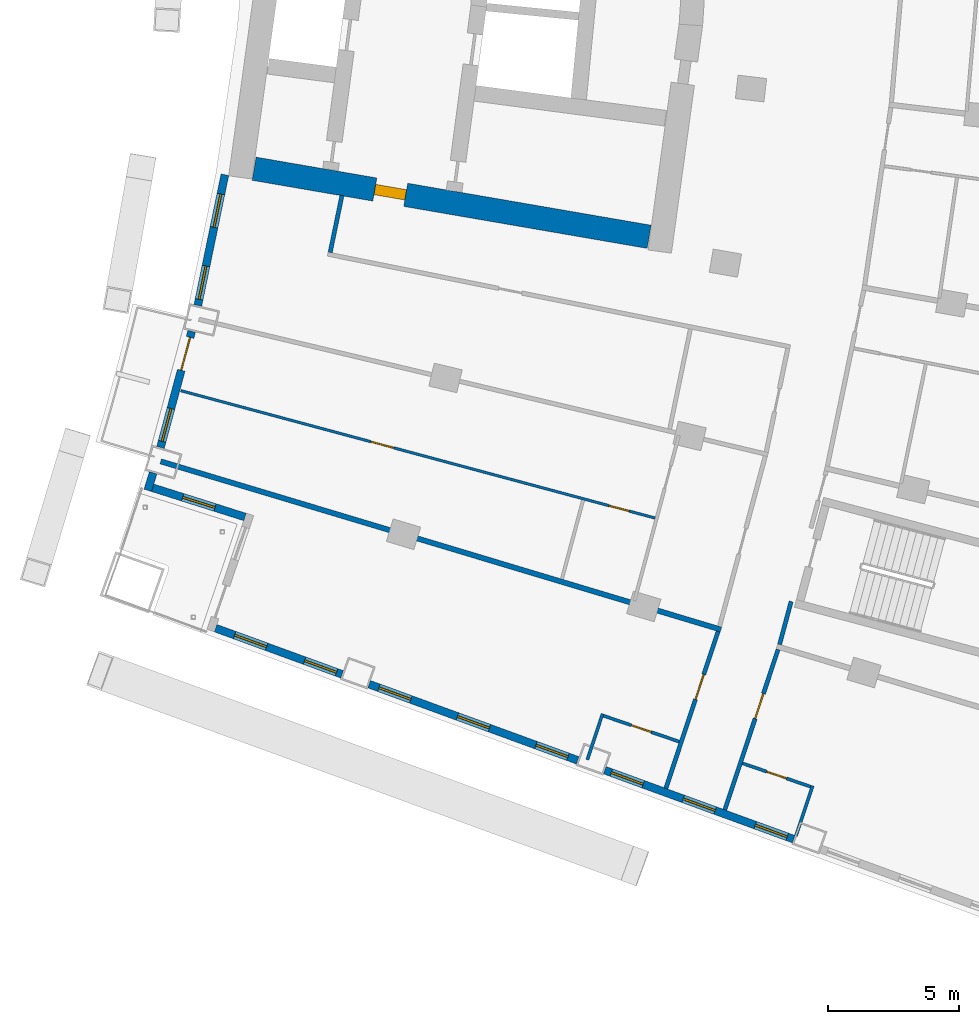
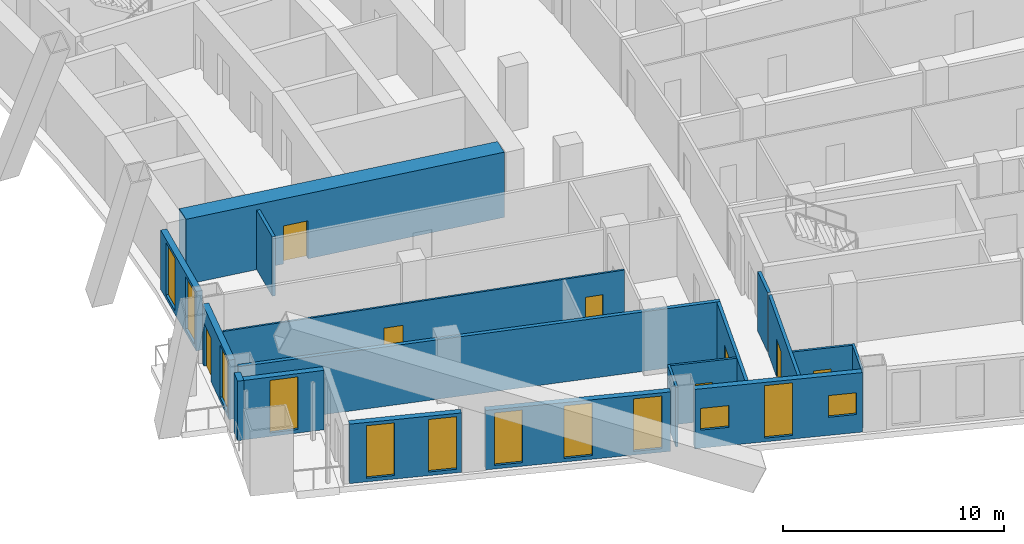
# One storey, part 13 of 25: 18 walls, 12 windows, 8 doors, 20 openings.
"""IFC4 building model written with IfcOpenShell, lengths in metres."""

from ifc_helpers import new_model, si_unit, direction, frame, frame_2d, origin, place, context, subcontext, project, spatial, rectangle, extrude, material, layer, layer_set, type_object, element, fill, save


model = new_model("IFC4")

# Units and contexts
model_context = context("Model", 3, precision=1e-05, world=origin(), true_north=direction((0.0, 1.0)))
body_context = subcontext(model_context, "Body", "Model", "MODEL_VIEW")
ifc_project = project(units=[si_unit("LENGTHUNIT", "METRE"), si_unit("AREAUNIT", "SQUARE_METRE"), si_unit("VOLUMEUNIT", "CUBIC_METRE"), si_unit("PLANEANGLEUNIT", "RADIAN"), si_unit("MASSUNIT", "GRAM", prefix="KILO")], contexts=[model_context])

# Site, building, storey
site_placement = place(None, origin())
site = spatial("IfcSite", under=ifc_project, at=site_placement, CompositionType="ELEMENT")
building_placement = place(site_placement, origin())
building = spatial("IfcBuilding", under=site, at=building_placement, Name="Alderwake Tower", CompositionType="ELEMENT")
storey_placement = place(building_placement, frame((0.0, 0.0, 64.39990234375)))
storey = spatial("IfcBuildingStorey", under=building, at=storey_placement, Name="L15", CompositionType="ELEMENT", Elevation=64.39990234375)

# Wall, opening, door
ifc_material_1 = material(Name="Concrete C70/85", Category="concrete")
ifc_layer_1 = layer(ifc_material_1, 0.89990234375)
ifc_layer_set_1 = layer_set([ifc_layer_1], Name="Core wall outer 900 C70-85")
wall_type_1 = type_object("IfcWallType", Name="Core wall outer 900 C70-85", PredefinedType="SHEAR", material=ifc_layer_set_1)
wall_1_placement = place(storey_placement, frame((31.11328125, 41.846923828125, 0.0), z_axis=(0.0, 0.0, 1.0), x_axis=(-0.985466640605, 0.169869067972, 0.0)))
wall_1 = element("IfcWall", 1, at=wall_1_placement, inside=storey, type_object=wall_type_1, Name="Core wall CW.070", PredefinedType="SHEAR", context=body_context, shape_type="SweptSolid", body=[
    extrude(rectangle(XDim=15.336669921875, YDim=0.89990234375, at=frame_2d((7.66845703125, 0.0))), origin(), (0.0, 0.0, 1.0), 3.60009765625),
])
opening_1_placement = place(wall_1_placement, frame((9.451904296875, 0.0, 0.0)))
opening_1 = element("IfcOpeningElement", 2, at=opening_1_placement, cuts=wall_1, Name="Opening C003", PredefinedType="OPENING", context=body_context, shape_type="SweptSolid", body=[
    extrude(rectangle(XDim=1.199951171875, YDim=2.10009765625, at=frame_2d((0.60009765625, 1.050048828125))), frame((0.0, 0.4599609375, 0.0), z_axis=(0.0, -1.0, 0.0), x_axis=(1.0, 0.0, 0.0)), (0.0, 0.0, 1.0), 0.919921875),
])
ifc_material_2 = material(Name="Steel-framed fire door leaf", Category="steel")
door_type_1 = type_object("IfcDoorType", Name="Core lobby exit door 1200 fire-rated", OperationType="SINGLE_SWING_LEFT", PredefinedType="DOOR", material=ifc_material_2)
door_1_placement = place(opening_1_placement, origin())
door_1 = element("IfcDoor", 3, at=door_1_placement, inside=storey, type_object=door_type_1, Name="Lobby door", OperationType="SINGLE_SWING_LEFT", OverallHeight=2.10009765625, OverallWidth=1.199951171875, PredefinedType="DOOR", context=body_context, shape_type="SweptSolid", body=[
    extrude(rectangle(XDim=1.199951171875, YDim=2.10009765625, at=frame_2d((0.60009765625, 1.050048828125))), frame((0.0, 0.199951171875, 0.0), z_axis=(0.0, -1.0, 0.0), x_axis=(1.0, 0.0, 0.0)), (0.0, 0.0, 1.0), 0.39990234375),
])
fill(opening_1, door_1)

# Wall
ifc_material_3 = material(Name="Gypsum board on metal studs, rated")
ifc_layer_2 = layer(ifc_material_3, 0.159912109375)
ifc_layer_set_2 = layer_set([ifc_layer_2], Name="Corridor wall 160")
wall_type_2 = type_object("IfcWallType", Name="Corridor wall 160", PredefinedType="PARTITIONING", material=ifc_layer_set_2)
wall_2_placement = place(storey_placement, frame((19.35888671875, 43.430908203125, 0.0), z_axis=(0.0, 0.0, 1.0), x_axis=(-0.202554916658, -0.979270905183, 0.0)))
element("IfcWall", 4, at=wall_2_placement, inside=storey, type_object=wall_type_2, Name="WL/L15/W20", PredefinedType="PARTITIONING", context=body_context, shape_type="SweptSolid", body=[
    extrude(rectangle(XDim=2.229736328125, YDim=0.159912109375, at=frame_2d((1.11474609375, 0.0))), origin(), (0.0, 0.0, 1.0), 3.280029296875),
])

# Wall, opening, door
wall_3_placement = place(storey_placement, frame((31.7548828125, 20.739013671875, 0.0), z_axis=(0.0, 0.0, 1.0), x_axis=(0.31554473692, 0.948910701279, 0.0)))
wall_3 = element("IfcWall", 5, at=wall_3_placement, inside=storey, type_object=wall_type_2, Name="WL/L15/W22", PredefinedType="PARTITIONING", context=body_context, shape_type="SweptSolid", body=[
    extrude(rectangle(XDim=6.327392578125, YDim=0.159912109375, at=frame_2d((3.16357421875, 0.0))), origin(), (0.0, 0.0, 1.0), 3.280029296875),
])
opening_2_placement = place(wall_3_placement, frame((3.59130859375, 0.0, 0.0)))
opening_2 = element("IfcOpeningElement", 6, at=opening_2_placement, cuts=wall_3, Name="Opening R04-U12.1", PredefinedType="OPENING", context=body_context, shape_type="SweptSolid", body=[
    extrude(rectangle(XDim=1.0, YDim=2.10009765625, at=frame_2d((0.5, 1.050048828125))), frame((0.0, 0.08984375, 0.0), z_axis=(0.0, -1.0, 0.0), x_axis=(1.0, 0.0, 0.0)), (0.0, 0.0, 1.0), 0.179931640625),
])
ifc_material_4 = material(Name="Solid timber leaf in steel frame", Category="steel")
door_type_2 = type_object("IfcDoorType", Name="Flat entrance door 1000 fire-rated", OperationType="SINGLE_SWING_LEFT", PredefinedType="DOOR", material=ifc_material_4)
door_2_placement = place(opening_2_placement, origin())
door_2 = element("IfcDoor", 7, at=door_2_placement, inside=storey, type_object=door_type_2, Name="DR/L15/U12.1", OperationType="SINGLE_SWING_LEFT", OverallHeight=2.10009765625, OverallWidth=1.0, PredefinedType="DOOR", context=body_context, shape_type="SweptSolid", body=[
    extrude(rectangle(XDim=1.0, YDim=2.10009765625, at=frame_2d((0.5, 1.050048828125))), frame((0.0, 0.02490234375, 0.0), z_axis=(0.0, -1.0, 0.0), x_axis=(1.0, 0.0, 0.0)), (0.0, 0.0, 1.0), 0.050048828125),
])
fill(opening_2, door_2)

wall_4_placement = place(storey_placement, frame((36.049560546875, 26.052978515625, 0.0), z_axis=(0.0, 0.0, 1.0), x_axis=(-0.315151894598, -0.949041244273, 0.0)))
wall_4 = element("IfcWall", 8, at=wall_4_placement, inside=storey, type_object=wall_type_2, Name="WL/L15/W24", PredefinedType="PARTITIONING", context=body_context, shape_type="SweptSolid", body=[
    extrude(rectangle(XDim=6.468505859375, YDim=0.159912109375, at=frame_2d((3.234375, 0.0))), origin(), (0.0, 0.0, 1.0), 3.280029296875),
])
opening_3_placement = place(wall_4_placement, frame((1.7822265625, 0.0, 0.0)))
opening_3 = element("IfcOpeningElement", 9, at=opening_3_placement, cuts=wall_4, Name="Opening R04-U03.1", PredefinedType="OPENING", context=body_context, shape_type="SweptSolid", body=[
    extrude(rectangle(XDim=1.0, YDim=2.10009765625, at=frame_2d((0.5, 1.050048828125))), frame((0.0, 0.08984375, 0.0), z_axis=(0.0, -1.0, 0.0), x_axis=(1.0, 0.0, 0.0)), (0.0, 0.0, 1.0), 0.179931640625),
])
door_3_placement = place(opening_3_placement, origin())
door_3 = element("IfcDoor", 10, at=door_3_placement, inside=storey, type_object=door_type_2, Name="DR/L15/U03.1", OperationType="SINGLE_SWING_LEFT", OverallHeight=2.10009765625, OverallWidth=1.0, PredefinedType="DOOR", context=body_context, shape_type="SweptSolid", body=[
    extrude(rectangle(XDim=1.0, YDim=2.10009765625, at=frame_2d((0.5, 1.050048828125))), frame((0.0, 0.02490234375, 0.0), z_axis=(0.0, -1.0, 0.0), x_axis=(1.0, 0.0, 0.0)), (0.0, 0.0, 1.0), 0.050048828125),
])
fill(opening_3, door_3)

# Walls
wall_5_placement = place(storey_placement, frame((36.10693359375, 26.24462890625, 0.0), z_axis=(0.0, 0.0, 1.0), x_axis=(0.259346865847, 0.965784242559, 0.0)))
element("IfcWall", 11, at=wall_5_placement, inside=storey, type_object=wall_type_2, Name="WL/L15/W28", PredefinedType="PARTITIONING", context=body_context, shape_type="SweptSolid", body=[
    extrude(rectangle(XDim=1.704833984375, YDim=0.159912109375, at=frame_2d((0.8525390625, 0.0))), origin(), (0.0, 0.0, 1.0), 3.280029296875),
])
ifc_material_5 = material(Name="Precast concrete C50/60 spandrel panel", Category="concrete")
ifc_layer_3 = layer(ifc_material_5, 0.300048828125)
ifc_layer_set_3 = layer_set([ifc_layer_3], Name="External wall EW1 Precast concrete C50/60 spandrel")
wall_type_3 = type_object("IfcWallType", Name="External wall EW1 Precast concrete C50/60 spandrel", PredefinedType="SOLIDWALL", material=ifc_layer_set_3)
wall_6_placement = place(storey_placement, frame((12.1328125, 32.814453125, 0.0), z_axis=(0.0, 0.0, 1.0), x_axis=(-0.294671831364, -0.955598509731, 0.0)))
element("IfcWall", 12, at=wall_6_placement, inside=storey, type_object=wall_type_3, Name="External wall 1", PredefinedType="SOLIDWALL", context=body_context, shape_type="SweptSolid", body=[
    extrude(rectangle(XDim=0.70263671875, YDim=0.300048828125, at=frame_2d((0.351318359375, 0.0))), origin(), (0.0, 0.0, 1.0), 3.280029296875),
])

# Wall, openings, windows
wall_7_placement = place(storey_placement, frame((14.878173828125, 44.223388671875, 0.0), z_axis=(0.0, 0.0, 1.0), x_axis=(-0.202738354746, -0.979232944459, 0.0)))
wall_7 = element("IfcWall", 13, at=wall_7_placement, inside=storey, type_object=wall_type_3, Name="External wall 35", PredefinedType="SOLIDWALL", context=body_context, shape_type="SweptSolid", body=[
    extrude(rectangle(XDim=5.1083984375, YDim=0.300048828125, at=frame_2d((2.55419921875, 0.0))), origin(), (0.0, 0.0, 1.0), 3.280029296875),
])
opening_4_placement = place(wall_7_placement, frame((0.75634765625, 0.0, 0.199951171875)))
opening_4 = element("IfcOpeningElement", 14, at=opening_4_placement, cuts=wall_7, Name="Opening W1", PredefinedType="OPENING", context=body_context, shape_type="SweptSolid", body=[
    extrude(rectangle(XDim=1.300048828125, YDim=2.89990234375, at=frame_2d((0.64990234375, 1.449951171875))), frame((0.0, 0.159912109375, 0.0), z_axis=(0.0, -1.0, 0.0), x_axis=(1.0, 0.0, 0.0)), (0.0, 0.0, 1.0), 0.320068359375),
])
opening_5_placement = place(wall_7_placement, frame((3.569091796875, 0.0, 0.199951171875)))
opening_5 = element("IfcOpeningElement", 15, at=opening_5_placement, cuts=wall_7, Name="Opening W1", PredefinedType="OPENING", context=body_context, shape_type="SweptSolid", body=[
    extrude(rectangle(XDim=1.300048828125, YDim=2.89990234375, at=frame_2d((0.64990234375, 1.449951171875))), frame((0.0, 0.159912109375, 0.0), z_axis=(0.0, -1.0, 0.0), x_axis=(1.0, 0.0, 0.0)), (0.0, 0.0, 1.0), 0.320068359375),
])
ifc_material_6 = material(Name="Bronze tinted glass in aluminium frame", Category="aluminium")
window_type_1 = type_object("IfcWindowType", Name="Window W1 tall fixed and vent", PartitioningType="DOUBLE_PANEL_VERTICAL", PredefinedType="WINDOW", material=ifc_material_6)
window_1_placement = place(opening_4_placement, origin())
window_1 = element("IfcWindow", 16, at=window_1_placement, inside=storey, type_object=window_type_1, Name="Window W1 tall fixed and vent", OverallHeight=2.89990234375, OverallWidth=1.300048828125, PartitioningType="DOUBLE_PANEL_VERTICAL", PredefinedType="WINDOW", context=body_context, shape_type="SweptSolid", body=[
    extrude(rectangle(XDim=1.300048828125, YDim=2.89990234375, at=frame_2d((0.64990234375, 1.449951171875))), frame((0.0, 0.030029296875, 0.0), z_axis=(0.0, -1.0, 0.0), x_axis=(1.0, 0.0, 0.0)), (0.0, 0.0, 1.0), 0.06005859375),
])
fill(opening_4, window_1)
window_2_placement = place(opening_5_placement, origin())
window_2 = element("IfcWindow", 17, at=window_2_placement, inside=storey, type_object=window_type_1, Name="Window W1 tall fixed and vent", OverallHeight=2.89990234375, OverallWidth=1.300048828125, PartitioningType="DOUBLE_PANEL_VERTICAL", PredefinedType="WINDOW", context=body_context, shape_type="SweptSolid", body=[
    extrude(rectangle(XDim=1.300048828125, YDim=2.89990234375, at=frame_2d((0.64990234375, 1.449951171875))), frame((0.0, 0.030029296875, 0.0), z_axis=(0.0, -1.0, 0.0), x_axis=(1.0, 0.0, 0.0)), (0.0, 0.0, 1.0), 0.06005859375),
])
fill(opening_5, window_2)

# Wall, openings, door, window
wall_8_placement = place(storey_placement, frame((13.606689453125, 38.229248046875, 0.0), z_axis=(0.0, 0.0, 1.0), x_axis=(-0.259495671332, -0.965744270788, 0.0)))
wall_8 = element("IfcWall", 18, at=wall_8_placement, inside=storey, type_object=wall_type_3, Name="External wall 36", PredefinedType="SOLIDWALL", context=body_context, shape_type="SweptSolid", body=[
    extrude(rectangle(XDim=4.599609375, YDim=0.300048828125, at=frame_2d((2.2998046875, 0.0))), origin(), (0.0, 0.0, 1.0), 3.280029296875),
])
opening_6_placement = place(wall_8_placement, frame((0.2412109375, 0.0, 0.0)))
opening_6 = element("IfcOpeningElement", 19, at=opening_6_placement, cuts=wall_8, Name="Opening D16", PredefinedType="OPENING", context=body_context, shape_type="SweptSolid", body=[
    extrude(rectangle(XDim=1.300048828125, YDim=2.39990234375, at=frame_2d((0.64990234375, 1.199951171875))), frame((0.0, 0.159912109375, 0.0), z_axis=(0.0, -1.0, 0.0), x_axis=(1.0, 0.0, 0.0)), (0.0, 0.0, 1.0), 0.320068359375),
])
opening_7_placement = place(wall_8_placement, frame((3.058349609375, 0.0, 0.199951171875)))
opening_7 = element("IfcOpeningElement", 20, at=opening_7_placement, cuts=wall_8, Name="Opening W1", PredefinedType="OPENING", context=body_context, shape_type="SweptSolid", body=[
    extrude(rectangle(XDim=1.300048828125, YDim=2.89990234375, at=frame_2d((0.64990234375, 1.449951171875))), frame((0.0, 0.159912109375, 0.0), z_axis=(0.0, -1.0, 0.0), x_axis=(1.0, 0.0, 0.0)), (0.0, 0.0, 1.0), 0.320068359375),
])
ifc_material_7 = material(Name="Bronze tinted glass in aluminium frame", Category="aluminium")
door_type_3 = type_object("IfcDoorType", Name="Balcony door BD sliding", OperationType="SLIDING_TO_LEFT", PredefinedType="DOOR", material=ifc_material_7)
door_4_placement = place(opening_6_placement, origin())
door_4 = element("IfcDoor", 21, at=door_4_placement, inside=storey, type_object=door_type_3, Name="Door D16", OperationType="SLIDING_TO_LEFT", OverallHeight=2.39990234375, OverallWidth=1.300048828125, PredefinedType="DOOR", context=body_context, shape_type="SweptSolid", body=[
    extrude(rectangle(XDim=1.300048828125, YDim=2.39990234375, at=frame_2d((0.64990234375, 1.199951171875))), frame((0.0, 0.02490234375, 0.0), z_axis=(0.0, -1.0, 0.0), x_axis=(1.0, 0.0, 0.0)), (0.0, 0.0, 1.0), 0.050048828125),
])
fill(opening_6, door_4)
window_3_placement = place(opening_7_placement, origin())
window_3 = element("IfcWindow", 22, at=window_3_placement, inside=storey, type_object=window_type_1, Name="Window W1 tall fixed and vent", OverallHeight=2.89990234375, OverallWidth=1.300048828125, PartitioningType="DOUBLE_PANEL_VERTICAL", PredefinedType="WINDOW", context=body_context, shape_type="SweptSolid", body=[
    extrude(rectangle(XDim=1.300048828125, YDim=2.89990234375, at=frame_2d((0.64990234375, 1.449951171875))), frame((0.0, 0.030029296875, 0.0), z_axis=(0.0, -1.0, 0.0), x_axis=(1.0, 0.0, 0.0)), (0.0, 0.0, 1.0), 0.06005859375),
])
fill(opening_7, window_3)

# Wall, opening, window
ifc_material_8 = material(Name="Bronze metal cladding on lightweight framing")
ifc_layer_4 = layer(ifc_material_8, 0.300048828125)
ifc_layer_set_4 = layer_set([ifc_layer_4], Name="External wall EW2 bronze metal cladding")
wall_type_4 = type_object("IfcWallType", Name="External wall EW2 bronze metal cladding", PredefinedType="SOLIDWALL", material=ifc_layer_set_4)
wall_9_placement = place(storey_placement, frame((12.113037109375, 32.2412109375, 0.0), z_axis=(0.0, 0.0, 1.0), x_axis=(0.953458128271, -0.301525451054, 0.0)))
wall_9 = element("IfcWall", 23, at=wall_9_placement, inside=storey, type_object=wall_type_4, Name="External wall 2", PredefinedType="SOLIDWALL", context=body_context, shape_type="SweptSolid", body=[
    extrude(rectangle(XDim=3.705810546875, YDim=0.300048828125, at=frame_2d((1.85302734375, 0.0))), origin(), (0.0, 0.0, 1.0), 3.280029296875),
])
opening_8_placement = place(wall_9_placement, frame((1.202880859375, 0.0, 0.199951171875)))
opening_8 = element("IfcOpeningElement", 24, at=opening_8_placement, cuts=wall_9, Name="Opening W1", PredefinedType="OPENING", context=body_context, shape_type="SweptSolid", body=[
    extrude(rectangle(XDim=1.300048828125, YDim=2.89990234375, at=frame_2d((0.64990234375, 1.449951171875))), frame((0.0, 0.159912109375, 0.0), z_axis=(0.0, -1.0, 0.0), x_axis=(1.0, 0.0, 0.0)), (0.0, 0.0, 1.0), 0.320068359375),
])
window_4_placement = place(opening_8_placement, origin())
window_4 = element("IfcWindow", 25, at=window_4_placement, inside=storey, type_object=window_type_1, Name="Window W1 tall fixed and vent", OverallHeight=2.89990234375, OverallWidth=1.300048828125, PartitioningType="DOUBLE_PANEL_VERTICAL", PredefinedType="WINDOW", context=body_context, shape_type="SweptSolid", body=[
    extrude(rectangle(XDim=1.300048828125, YDim=2.89990234375, at=frame_2d((0.64990234375, 1.449951171875))), frame((0.0, 0.030029296875, 0.0), z_axis=(0.0, -1.0, 0.0), x_axis=(1.0, 0.0, 0.0)), (0.0, 0.0, 1.0), 0.06005859375),
])
fill(opening_8, window_4)

# Wall, openings, windows
wall_10_placement = place(storey_placement, frame((14.523681640625, 26.86865234375, 0.0), z_axis=(0.0, 0.0, 1.0), x_axis=(0.939371865822, -0.342900127883, 0.0)))
wall_10 = element("IfcWall", 26, at=wall_10_placement, inside=storey, type_object=wall_type_4, Name="External wall 4", PredefinedType="SOLIDWALL", context=body_context, shape_type="SweptSolid", body=[
    extrude(rectangle(XDim=5.149169921875, YDim=0.300048828125, at=frame_2d((2.57470703125, 0.0))), origin(), (0.0, 0.0, 1.0), 3.280029296875),
])
opening_9_placement = place(wall_10_placement, frame((0.775390625, 0.0, 0.199951171875)))
opening_9 = element("IfcOpeningElement", 27, at=opening_9_placement, cuts=wall_10, Name="Opening W1", PredefinedType="OPENING", context=body_context, shape_type="SweptSolid", body=[
    extrude(rectangle(XDim=1.300048828125, YDim=2.89990234375, at=frame_2d((0.64990234375, 1.449951171875))), frame((0.0, 0.159912109375, 0.0), z_axis=(0.0, -1.0, 0.0), x_axis=(1.0, 0.0, 0.0)), (0.0, 0.0, 1.0), 0.320068359375),
])
opening_10_placement = place(wall_10_placement, frame((3.626220703125, 0.0, 0.199951171875)))
opening_10 = element("IfcOpeningElement", 28, at=opening_10_placement, cuts=wall_10, Name="Opening W1", PredefinedType="OPENING", context=body_context, shape_type="SweptSolid", body=[
    extrude(rectangle(XDim=1.300048828125, YDim=2.89990234375, at=frame_2d((0.64990234375, 1.449951171875))), frame((0.0, 0.159912109375, 0.0), z_axis=(0.0, -1.0, 0.0), x_axis=(1.0, 0.0, 0.0)), (0.0, 0.0, 1.0), 0.320068359375),
])
window_5_placement = place(opening_9_placement, origin())
window_5 = element("IfcWindow", 29, at=window_5_placement, inside=storey, type_object=window_type_1, Name="Window W1 tall fixed and vent", OverallHeight=2.89990234375, OverallWidth=1.300048828125, PartitioningType="DOUBLE_PANEL_VERTICAL", PredefinedType="WINDOW", context=body_context, shape_type="SweptSolid", body=[
    extrude(rectangle(XDim=1.300048828125, YDim=2.89990234375, at=frame_2d((0.64990234375, 1.449951171875))), frame((0.0, 0.030029296875, 0.0), z_axis=(0.0, -1.0, 0.0), x_axis=(1.0, 0.0, 0.0)), (0.0, 0.0, 1.0), 0.06005859375),
])
fill(opening_9, window_5)
window_6_placement = place(opening_10_placement, origin())
window_6 = element("IfcWindow", 30, at=window_6_placement, inside=storey, type_object=window_type_1, Name="Window W1 tall fixed and vent", OverallHeight=2.89990234375, OverallWidth=1.300048828125, PartitioningType="DOUBLE_PANEL_VERTICAL", PredefinedType="WINDOW", context=body_context, shape_type="SweptSolid", body=[
    extrude(rectangle(XDim=1.300048828125, YDim=2.89990234375, at=frame_2d((0.64990234375, 1.449951171875))), frame((0.0, 0.030029296875, 0.0), z_axis=(0.0, -1.0, 0.0), x_axis=(1.0, 0.0, 0.0)), (0.0, 0.0, 1.0), 0.06005859375),
])
fill(opening_10, window_6)

wall_11_placement = place(storey_placement, frame((20.398681640625, 24.72412109375, 0.0), z_axis=(0.0, 0.0, 1.0), x_axis=(0.939369809957, -0.342905759856, 0.0)))
wall_11 = element("IfcWall", 31, at=wall_11_placement, inside=storey, type_object=wall_type_4, Name="External wall 5", PredefinedType="SOLIDWALL", context=body_context, shape_type="SweptSolid", body=[
    extrude(rectangle(XDim=8.495361328125, YDim=0.300048828125, at=frame_2d((4.24755859375, 0.0))), origin(), (0.0, 0.0, 1.0), 3.280029296875),
])
opening_11_placement = place(wall_11_placement, frame((0.3974609375, 0.0, 0.199951171875)))
opening_11 = element("IfcOpeningElement", 32, at=opening_11_placement, cuts=wall_11, Name="Opening W1", PredefinedType="OPENING", context=body_context, shape_type="SweptSolid", body=[
    extrude(rectangle(XDim=1.300048828125, YDim=2.89990234375, at=frame_2d((0.64990234375, 1.449951171875))), frame((0.0, 0.159912109375, 0.0), z_axis=(0.0, -1.0, 0.0), x_axis=(1.0, 0.0, 0.0)), (0.0, 0.0, 1.0), 0.320068359375),
])
opening_12_placement = place(wall_11_placement, frame((3.597412109375, 0.0, 0.199951171875)))
opening_12 = element("IfcOpeningElement", 33, at=opening_12_placement, cuts=wall_11, Name="Opening W1", PredefinedType="OPENING", context=body_context, shape_type="SweptSolid", body=[
    extrude(rectangle(XDim=1.300048828125, YDim=2.89990234375, at=frame_2d((0.64990234375, 1.449951171875))), frame((0.0, 0.159912109375, 0.0), z_axis=(0.0, -1.0, 0.0), x_axis=(1.0, 0.0, 0.0)), (0.0, 0.0, 1.0), 0.320068359375),
])
opening_13_placement = place(wall_11_placement, frame((6.797607421875, 0.0, 0.199951171875)))
opening_13 = element("IfcOpeningElement", 34, at=opening_13_placement, cuts=wall_11, Name="Opening W1", PredefinedType="OPENING", context=body_context, shape_type="SweptSolid", body=[
    extrude(rectangle(XDim=1.300048828125, YDim=2.89990234375, at=frame_2d((0.64990234375, 1.449951171875))), frame((0.0, 0.159912109375, 0.0), z_axis=(0.0, -1.0, 0.0), x_axis=(1.0, 0.0, 0.0)), (0.0, 0.0, 1.0), 0.320068359375),
])
window_7_placement = place(opening_11_placement, origin())
window_7 = element("IfcWindow", 35, at=window_7_placement, inside=storey, type_object=window_type_1, Name="Window W1 tall fixed and vent", OverallHeight=2.89990234375, OverallWidth=1.300048828125, PartitioningType="DOUBLE_PANEL_VERTICAL", PredefinedType="WINDOW", context=body_context, shape_type="SweptSolid", body=[
    extrude(rectangle(XDim=1.300048828125, YDim=2.89990234375, at=frame_2d((0.64990234375, 1.449951171875))), frame((0.0, 0.030029296875, 0.0), z_axis=(0.0, -1.0, 0.0), x_axis=(1.0, 0.0, 0.0)), (0.0, 0.0, 1.0), 0.06005859375),
])
fill(opening_11, window_7)
window_8_placement = place(opening_12_placement, origin())
window_8 = element("IfcWindow", 36, at=window_8_placement, inside=storey, type_object=window_type_1, Name="Window W1 tall fixed and vent", OverallHeight=2.89990234375, OverallWidth=1.300048828125, PartitioningType="DOUBLE_PANEL_VERTICAL", PredefinedType="WINDOW", context=body_context, shape_type="SweptSolid", body=[
    extrude(rectangle(XDim=1.300048828125, YDim=2.89990234375, at=frame_2d((0.64990234375, 1.449951171875))), frame((0.0, 0.030029296875, 0.0), z_axis=(0.0, -1.0, 0.0), x_axis=(1.0, 0.0, 0.0)), (0.0, 0.0, 1.0), 0.06005859375),
])
fill(opening_12, window_8)
window_9_placement = place(opening_13_placement, origin())
window_9 = element("IfcWindow", 37, at=window_9_placement, inside=storey, type_object=window_type_1, Name="Window W1 tall fixed and vent", OverallHeight=2.89990234375, OverallWidth=1.300048828125, PartitioningType="DOUBLE_PANEL_VERTICAL", PredefinedType="WINDOW", context=body_context, shape_type="SweptSolid", body=[
    extrude(rectangle(XDim=1.300048828125, YDim=2.89990234375, at=frame_2d((0.64990234375, 1.449951171875))), frame((0.0, 0.030029296875, 0.0), z_axis=(0.0, -1.0, 0.0), x_axis=(1.0, 0.0, 0.0)), (0.0, 0.0, 1.0), 0.06005859375),
])
fill(opening_13, window_9)

wall_12_placement = place(storey_placement, frame((29.416748046875, 21.432373046875, 0.0), z_axis=(0.0, 0.0, 1.0), x_axis=(0.93936753929, -0.342911980148, 0.0)))
wall_12 = element("IfcWall", 38, at=wall_12_placement, inside=storey, type_object=wall_type_4, Name="External wall 6", PredefinedType="SOLIDWALL", context=body_context, shape_type="SweptSolid", body=[
    extrude(rectangle(XDim=7.695556640625, YDim=0.300048828125, at=frame_2d((3.84765625, 0.0))), origin(), (0.0, 0.0, 1.0), 3.280029296875),
])
opening_14_placement = place(wall_12_placement, frame((0.264404296875, 0.0, 1.0)))
opening_14 = element("IfcOpeningElement", 39, at=opening_14_placement, cuts=wall_12, Name="Opening W2", PredefinedType="OPENING", context=body_context, shape_type="SweptSolid", body=[
    extrude(rectangle(XDim=1.300048828125, YDim=1.199951171875, at=frame_2d((0.64990234375, 0.60009765625))), frame((0.0, 0.159912109375, 0.0), z_axis=(0.0, -1.0, 0.0), x_axis=(1.0, 0.0, 0.0)), (0.0, 0.0, 1.0), 0.320068359375),
])
opening_15_placement = place(wall_12_placement, frame((3.19775390625, 0.0, 0.199951171875)))
opening_15 = element("IfcOpeningElement", 40, at=opening_15_placement, cuts=wall_12, Name="Opening W1", PredefinedType="OPENING", context=body_context, shape_type="SweptSolid", body=[
    extrude(rectangle(XDim=1.300048828125, YDim=2.89990234375, at=frame_2d((0.64990234375, 1.449951171875))), frame((0.0, 0.159912109375, 0.0), z_axis=(0.0, -1.0, 0.0), x_axis=(1.0, 0.0, 0.0)), (0.0, 0.0, 1.0), 0.320068359375),
])
opening_16_placement = place(wall_12_placement, frame((6.131103515625, 0.0, 1.0)))
opening_16 = element("IfcOpeningElement", 41, at=opening_16_placement, cuts=wall_12, Name="Opening W2", PredefinedType="OPENING", context=body_context, shape_type="SweptSolid", body=[
    extrude(rectangle(XDim=1.300048828125, YDim=1.199951171875, at=frame_2d((0.64990234375, 0.60009765625))), frame((0.0, 0.159912109375, 0.0), z_axis=(0.0, -1.0, 0.0), x_axis=(1.0, 0.0, 0.0)), (0.0, 0.0, 1.0), 0.320068359375),
])
window_10_placement = place(opening_15_placement, origin())
window_10 = element("IfcWindow", 42, at=window_10_placement, inside=storey, type_object=window_type_1, Name="Window W1 tall fixed and vent", OverallHeight=2.89990234375, OverallWidth=1.300048828125, PartitioningType="DOUBLE_PANEL_VERTICAL", PredefinedType="WINDOW", context=body_context, shape_type="SweptSolid", body=[
    extrude(rectangle(XDim=1.300048828125, YDim=2.89990234375, at=frame_2d((0.64990234375, 1.449951171875))), frame((0.0, 0.030029296875, 0.0), z_axis=(0.0, -1.0, 0.0), x_axis=(1.0, 0.0, 0.0)), (0.0, 0.0, 1.0), 0.06005859375),
])
fill(opening_15, window_10)
ifc_material_9 = material(Name="Bronze tinted glass in aluminium frame", Category="aluminium")
window_type_2 = type_object("IfcWindowType", Name="Window W2 kitchen and bath", PartitioningType="SINGLE_PANEL", PredefinedType="WINDOW", material=ifc_material_9)
window_11_placement = place(opening_14_placement, origin())
window_11 = element("IfcWindow", 43, at=window_11_placement, inside=storey, type_object=window_type_2, Name="Window W2 kitchen and bath", OverallHeight=1.199951171875, OverallWidth=1.300048828125, PartitioningType="SINGLE_PANEL", PredefinedType="WINDOW", context=body_context, shape_type="SweptSolid", body=[
    extrude(rectangle(XDim=1.300048828125, YDim=1.199951171875, at=frame_2d((0.64990234375, 0.60009765625))), frame((0.0, 0.030029296875, 0.0), z_axis=(0.0, -1.0, 0.0), x_axis=(1.0, 0.0, 0.0)), (0.0, 0.0, 1.0), 0.06005859375),
])
fill(opening_14, window_11)
window_12_placement = place(opening_16_placement, origin())
window_12 = element("IfcWindow", 44, at=window_12_placement, inside=storey, type_object=window_type_2, Name="Window W2 kitchen and bath", OverallHeight=1.199951171875, OverallWidth=1.300048828125, PartitioningType="SINGLE_PANEL", PredefinedType="WINDOW", context=body_context, shape_type="SweptSolid", body=[
    extrude(rectangle(XDim=1.300048828125, YDim=1.199951171875, at=frame_2d((0.64990234375, 0.60009765625))), frame((0.0, 0.030029296875, 0.0), z_axis=(0.0, -1.0, 0.0), x_axis=(1.0, 0.0, 0.0)), (0.0, 0.0, 1.0), 0.06005859375),
])
fill(opening_16, window_12)

# Wall
ifc_material_10 = material(Name="Dense block masonry wall", Category="masonry")
ifc_layer_5 = layer(ifc_material_10, 0.199951171875)
ifc_layer_set_5 = layer_set([ifc_layer_5], Name="Party wall 200")
wall_type_5 = type_object("IfcWallType", Name="Party wall 200", PredefinedType="SOLIDWALL", material=ifc_layer_set_5)
wall_13_placement = place(storey_placement, frame((33.859619140625, 26.81494140625, 0.0), z_axis=(0.0, 0.0, 1.0), x_axis=(-0.95775179957, 0.287596054251, 0.0)))
element("IfcWall", 45, at=wall_13_placement, inside=storey, type_object=wall_type_5, Name="WL/L15/W03", PredefinedType="SOLIDWALL", context=body_context, shape_type="SweptSolid", body=[
    extrude(rectangle(XDim=22.382080078125, YDim=0.199951171875, at=frame_2d((11.19091796875, 0.0))), origin(), (0.0, 0.0, 1.0), 3.280029296875),
])

# Wall, openings, doors
ifc_material_11 = material(Name="Gypsum board on metal studs")
ifc_layer_6 = layer(ifc_material_11, 0.10009765625)
ifc_layer_set_6 = layer_set([ifc_layer_6], Name="Unit partition 100")
wall_type_6 = type_object("IfcWallType", Name="Unit partition 100", PredefinedType="PARTITIONING", material=ifc_layer_set_6)
wall_14_placement = place(storey_placement, frame((31.340087890625, 31.08349609375, 0.0), z_axis=(0.0, 0.0, 1.0), x_axis=(-0.965761886649, 0.259430102909, 0.0)))
wall_14 = element("IfcWall", 46, at=wall_14_placement, inside=storey, type_object=wall_type_6, Name="WL/L15/W67", PredefinedType="PARTITIONING", context=body_context, shape_type="SweptSolid", body=[
    extrude(rectangle(XDim=18.789306640625, YDim=0.10009765625, at=frame_2d((9.39453125, 0.0))), origin(), (0.0, 0.0, 1.0), 3.280029296875),
])
opening_17_placement = place(wall_14_placement, frame((1.0185546875, 0.0, 0.0)))
opening_17 = element("IfcOpeningElement", 47, at=opening_17_placement, cuts=wall_14, Name="Opening R04-U13.3", PredefinedType="OPENING", context=body_context, shape_type="SweptSolid", body=[
    extrude(rectangle(XDim=0.800048828125, YDim=2.10009765625, at=frame_2d((0.39990234375, 1.050048828125))), frame((0.0, 0.06005859375, 0.0), z_axis=(0.0, -1.0, 0.0), x_axis=(1.0, 0.0, 0.0)), (0.0, 0.0, 1.0), 0.1201171875),
])
opening_18_placement = place(wall_14_placement, frame((10.363037109375, 0.0, 0.0)))
opening_18 = element("IfcOpeningElement", 48, at=opening_18_placement, cuts=wall_14, Name="Opening R04-U13.4", PredefinedType="OPENING", context=body_context, shape_type="SweptSolid", body=[
    extrude(rectangle(XDim=0.89990234375, YDim=2.10009765625, at=frame_2d((0.449951171875, 1.050048828125))), frame((0.0, 0.06005859375, 0.0), z_axis=(0.0, -1.0, 0.0), x_axis=(1.0, 0.0, 0.0)), (0.0, 0.0, 1.0), 0.1201171875),
])
ifc_material_12 = material(Name="Painted timber leaf", Category="wood")
door_type_4 = type_object("IfcDoorType", Name="Bathroom door 800", OperationType="SINGLE_SWING_LEFT", PredefinedType="DOOR", material=ifc_material_12)
door_5_placement = place(opening_17_placement, origin())
door_5 = element("IfcDoor", 49, at=door_5_placement, inside=storey, type_object=door_type_4, Name="DR/L15/U13.3", OperationType="SINGLE_SWING_LEFT", OverallHeight=2.10009765625, OverallWidth=0.800048828125, PredefinedType="DOOR", context=body_context, shape_type="SweptSolid", body=[
    extrude(rectangle(XDim=0.800048828125, YDim=2.10009765625, at=frame_2d((0.39990234375, 1.050048828125))), frame((0.0, 0.02490234375, 0.0), z_axis=(0.0, -1.0, 0.0), x_axis=(1.0, 0.0, 0.0)), (0.0, 0.0, 1.0), 0.050048828125),
])
fill(opening_17, door_5)
ifc_material_13 = material(Name="Painted timber leaf", Category="wood")
door_type_5 = type_object("IfcDoorType", Name="Room door 900", OperationType="SINGLE_SWING_LEFT", PredefinedType="DOOR", material=ifc_material_13)
door_6_placement = place(opening_18_placement, origin())
door_6 = element("IfcDoor", 50, at=door_6_placement, inside=storey, type_object=door_type_5, Name="DR/L15/U13.4", OperationType="SINGLE_SWING_LEFT", OverallHeight=2.10009765625, OverallWidth=0.89990234375, PredefinedType="DOOR", context=body_context, shape_type="SweptSolid", body=[
    extrude(rectangle(XDim=0.89990234375, YDim=2.10009765625, at=frame_2d((0.449951171875, 1.050048828125))), frame((0.0, 0.02490234375, 0.0), z_axis=(0.0, -1.0, 0.0), x_axis=(1.0, 0.0, 0.0)), (0.0, 0.0, 1.0), 0.050048828125),
])
fill(opening_18, door_6)

# Wall
ifc_material_14 = material(Name="Moisture resistant gypsum board on metal studs")
ifc_layer_7 = layer(ifc_material_14, 0.1201171875)
ifc_layer_set_7 = layer_set([ifc_layer_7], Name="Wet room partition 120")
wall_type_7 = type_object("IfcWallType", Name="Wet room partition 120", PredefinedType="PARTITIONING", material=ifc_layer_set_7)
wall_15_placement = place(storey_placement, frame((29.331787109375, 23.591796875, 0.0), z_axis=(0.0, 0.0, 1.0), x_axis=(-0.315158113589, -0.949039179085, 0.0)))
element("IfcWall", 51, at=wall_15_placement, inside=storey, type_object=wall_type_7, Name="WL/L15/W45", PredefinedType="PARTITIONING", context=body_context, shape_type="SweptSolid", body=[
    extrude(rectangle(XDim=1.84912109375, YDim=0.1201171875, at=frame_2d((0.924560546875, 0.0))), origin(), (0.0, 0.0, 1.0), 3.280029296875),
])

# Wall, opening, door
wall_16_placement = place(storey_placement, frame((32.264404296875, 22.52587890625, 0.0), z_axis=(0.0, 0.0, 1.0), x_axis=(-0.946212858894, 0.323544781542, 0.0)))
wall_16 = element("IfcWall", 52, at=wall_16_placement, inside=storey, type_object=wall_type_7, Name="WL/L15/W49", PredefinedType="PARTITIONING", context=body_context, shape_type="SweptSolid", body=[
    extrude(rectangle(XDim=3.05908203125, YDim=0.1201171875, at=frame_2d((1.529541015625, 0.0))), origin(), (0.0, 0.0, 1.0), 3.280029296875),
])
opening_19_placement = place(wall_16_placement, frame((1.12939453125, 0.0, 0.0)))
opening_19 = element("IfcOpeningElement", 53, at=opening_19_placement, cuts=wall_16, Name="Opening R04-U12.2", PredefinedType="OPENING", context=body_context, shape_type="SweptSolid", body=[
    extrude(rectangle(XDim=0.800048828125, YDim=2.10009765625, at=frame_2d((0.39990234375, 1.050048828125))), frame((0.0, 0.070068359375, 0.0), z_axis=(0.0, -1.0, 0.0), x_axis=(1.0, 0.0, 0.0)), (0.0, 0.0, 1.0), 0.14013671875),
])
door_7_placement = place(opening_19_placement, origin())
door_7 = element("IfcDoor", 54, at=door_7_placement, inside=storey, type_object=door_type_4, Name="DR/L15/U12.2", OperationType="SINGLE_SWING_LEFT", OverallHeight=2.10009765625, OverallWidth=0.800048828125, PredefinedType="DOOR", context=body_context, shape_type="SweptSolid", body=[
    extrude(rectangle(XDim=0.800048828125, YDim=2.10009765625, at=frame_2d((0.39990234375, 1.050048828125))), frame((0.0, 0.02490234375, 0.0), z_axis=(0.0, -1.0, 0.0), x_axis=(1.0, 0.0, 0.0)), (0.0, 0.0, 1.0), 0.050048828125),
])
fill(opening_19, door_7)

# Wall
wall_17_placement = place(storey_placement, frame((36.735107421875, 18.9208984375, 0.0), z_axis=(0.0, 0.0, 1.0), x_axis=(0.315212330495, 0.949021172948, 0.0)))
element("IfcWall", 55, at=wall_17_placement, inside=storey, type_object=wall_type_7, Name="WL/L15/W51", PredefinedType="PARTITIONING", context=body_context, shape_type="SweptSolid", body=[
    extrude(rectangle(XDim=2.02001953125, YDim=0.1201171875, at=frame_2d((1.010009765625, 0.0))), origin(), (0.0, 0.0, 1.0), 3.280029296875),
])

# Wall, opening, door
wall_18_placement = place(storey_placement, frame((37.29638671875, 20.800537109375, 0.0), z_axis=(0.0, 0.0, 1.0), x_axis=(-0.94575033225, 0.324894304427, 0.0)))
wall_18 = element("IfcWall", 56, at=wall_18_placement, inside=storey, type_object=wall_type_7, Name="WL/L15/W52", PredefinedType="PARTITIONING", context=body_context, shape_type="SweptSolid", body=[
    extrude(rectangle(XDim=2.75927734375, YDim=0.1201171875, at=frame_2d((1.379638671875, 0.0))), origin(), (0.0, 0.0, 1.0), 3.280029296875),
])
opening_20_placement = place(wall_18_placement, frame((0.9794921875, 0.0, 0.0)))
opening_20 = element("IfcOpeningElement", 57, at=opening_20_placement, cuts=wall_18, Name="Opening R04-U03.2", PredefinedType="OPENING", context=body_context, shape_type="SweptSolid", body=[
    extrude(rectangle(XDim=0.800048828125, YDim=2.10009765625, at=frame_2d((0.39990234375, 1.050048828125))), frame((0.0, 0.070068359375, 0.0), z_axis=(0.0, -1.0, 0.0), x_axis=(1.0, 0.0, 0.0)), (0.0, 0.0, 1.0), 0.14013671875),
])
door_8_placement = place(opening_20_placement, origin())
door_8 = element("IfcDoor", 58, at=door_8_placement, inside=storey, type_object=door_type_4, Name="DR/L15/U03.2", OperationType="SINGLE_SWING_LEFT", OverallHeight=2.10009765625, OverallWidth=0.800048828125, PredefinedType="DOOR", context=body_context, shape_type="SweptSolid", body=[
    extrude(rectangle(XDim=0.800048828125, YDim=2.10009765625, at=frame_2d((0.39990234375, 1.050048828125))), frame((0.0, 0.02490234375, 0.0), z_axis=(0.0, -1.0, 0.0), x_axis=(1.0, 0.0, 0.0)), (0.0, 0.0, 1.0), 0.050048828125),
])
fill(opening_20, door_8)

save(model, "model.ifc")
